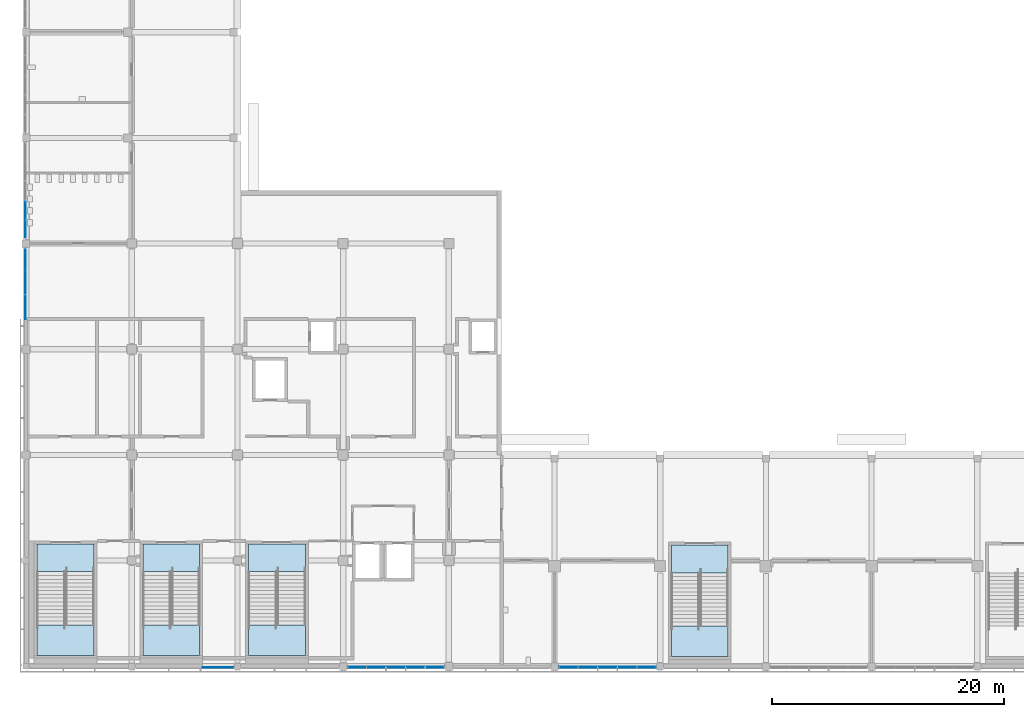
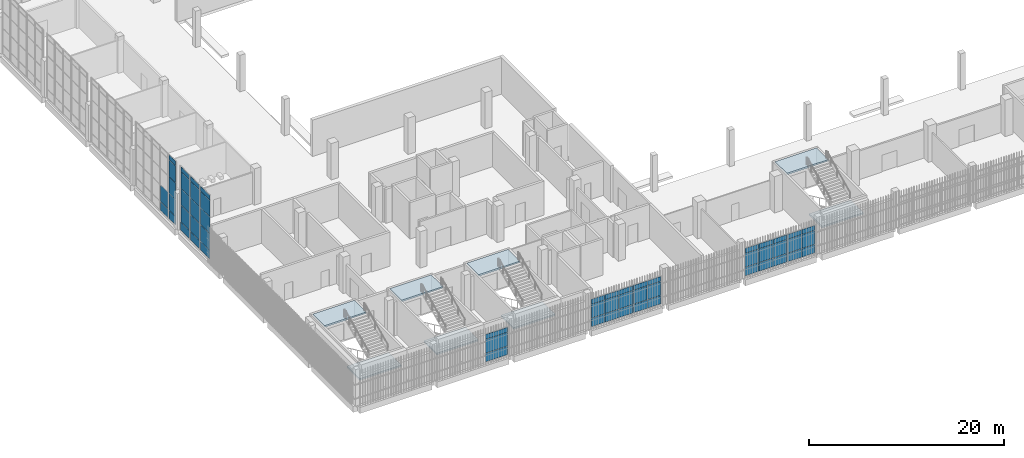
# One storey, part 63 of 126: 55 plates, 8 slabs, 9 elements without a shape of their own.
"""IFC4 building model written with IfcOpenShell, lengths in metres."""

from ifc_helpers import new_model, si_unit, direction, frame, origin, origin_2d, place, context, subcontext, project, spatial, polyline, rectangle, outline, extrude, material, layer, layer_set, type_object, element, aggregate, save


model = new_model("IFC4")

# Units and contexts
model_context = context("Model", 3, precision=1e-05, world=origin(), true_north=direction((0.0, 1.0)))
body_context = subcontext(model_context, "Body", "Model", "MODEL_VIEW")
ifc_project = project(units=[si_unit("LENGTHUNIT", "METRE"), si_unit("AREAUNIT", "SQUARE_METRE"), si_unit("VOLUMEUNIT", "CUBIC_METRE"), si_unit("PLANEANGLEUNIT", "RADIAN"), si_unit("MASSUNIT", "GRAM", prefix="KILO")], contexts=[model_context])

# Site, building, storey
site_placement = place(None, origin())
site = spatial("IfcSite", under=ifc_project, at=site_placement, CompositionType="ELEMENT")
building_placement = place(site_placement, origin())
building = spatial("IfcBuilding", under=site, at=building_placement, Name="Shirokan Park Arena", CompositionType="ELEMENT")
storey_placement = place(building_placement, frame((0.0, 0.0, 6.3701171875)))
storey = spatial("IfcBuildingStorey", under=building, at=storey_placement, Name="L01", CompositionType="ELEMENT", Elevation=6.3701171875)

# Curtain wall, plate
ifc_material_1 = material(Name="Steel and glass curtain wall", Category="steel")
ifc_layer_1 = layer(ifc_material_1, 0.1201171875)
ifc_layer_set_1 = layer_set([ifc_layer_1], Name="Steel and glass curtain wall 120 mm")
curtain_wall_type_1 = type_object("IfcCurtainWallType", Name="Curtain wall corner block side bay 120", PredefinedType="NOTDEFINED", material=ifc_layer_set_1)
curtain_wall_1_placement = place(storey_placement, origin())
curtain_wall_1 = element("IfcCurtainWall", 1, at=curtain_wall_1_placement, inside=storey, type_object=curtain_wall_type_1, Name="Curtain wall south bay 2 L01", PredefinedType="NOTDEFINED")
ifc_material_2 = material(Name="Aluminium sheet", Category="aluminium")
ifc_layer_2 = layer(ifc_material_2, 0.0029296875, Name="Aluminium sheet")
ifc_material_3 = material(Name="Mineral wool insulation")
ifc_layer_3 = layer(ifc_material_3, 0.053955078125, Name="Mineral wool insulation")
ifc_layer_4 = layer(ifc_material_2, 0.0029296875, Name="Aluminium sheet")
ifc_layer_set_2 = layer_set([ifc_layer_2, ifc_layer_3, ifc_layer_4], Name="Aluminium sheet + Mineral wool insulation")
plate_type_1 = type_object("IfcPlateType", Name="Insulated spandrel panel 60", PredefinedType="CURTAIN_PANEL", material=ifc_layer_set_2)
plate_1_placement = place(storey_placement, frame((16.512451171875, -0.090087890625, 2.86962890625), z_axis=(0.0, 0.0, 1.0), x_axis=(1.0, 0.0, 0.0)))
plate_1 = element("IfcPlate", 2, at=plate_1_placement, type_object=plate_type_1, Name="CW3 panel 1.3", PredefinedType="CURTAIN_PANEL", context=body_context, shape_type="SweptSolid", body=[
    extrude(rectangle(XDim=2.625, YDim=0.06005859375, at=origin_2d()), origin(), (0.0, 0.0, 1.0), 0.590087890625),
])

# Curtain wall, plates
ifc_layer_5 = layer(ifc_material_1, 0.14990234375)
ifc_layer_set_3 = layer_set([ifc_layer_5], Name="Steel and glass curtain wall 150 mm")
curtain_wall_type_2 = type_object("IfcCurtainWallType", Name="Curtain wall exposed bay 150", PredefinedType="NOTDEFINED", material=ifc_layer_set_3)
curtain_wall_2_placement = place(storey_placement, origin())
curtain_wall_2 = element("IfcCurtainWall", 3, at=curtain_wall_2_placement, inside=storey, type_object=curtain_wall_type_2, Name="Curtain wall south bay 4 L01", PredefinedType="NOTDEFINED")
plate_2_placement = place(storey_placement, frame((28.5048828125, -0.074951171875, 2.86962890625), z_axis=(0.0, 0.0, 1.0), x_axis=(1.0, 0.0, 0.0)))
plate_2 = element("IfcPlate", 4, at=plate_2_placement, type_object=plate_type_1, Name="CW1 panel 1.3", PredefinedType="CURTAIN_PANEL", context=body_context, shape_type="SweptSolid", body=[
    extrude(rectangle(XDim=1.56005859375, YDim=0.06005859375, at=origin_2d()), origin(), (0.0, 0.0, 1.0), 0.590087890625),
])
plate_3_placement = place(storey_placement, frame((30.152587890625, -0.074951171875, 2.86962890625), z_axis=(0.0, 0.0, 1.0), x_axis=(1.0, 0.0, 0.0)))
plate_3 = element("IfcPlate", 5, at=plate_3_placement, type_object=plate_type_1, Name="CW1 panel 2.3", PredefinedType="CURTAIN_PANEL", context=body_context, shape_type="SweptSolid", body=[
    extrude(rectangle(XDim=1.635009765625, YDim=0.06005859375, at=origin_2d()), origin(), (0.0, 0.0, 1.0), 0.590087890625),
])
plate_4_placement = place(storey_placement, frame((31.83740234375, -0.074951171875, 2.86962890625), z_axis=(0.0, 0.0, 1.0), x_axis=(1.0, 0.0, 0.0)))
plate_4 = element("IfcPlate", 6, at=plate_4_placement, type_object=plate_type_1, Name="CW1 panel 3.3", PredefinedType="CURTAIN_PANEL", context=body_context, shape_type="SweptSolid", body=[
    extrude(rectangle(XDim=1.635009765625, YDim=0.06005859375, at=origin_2d()), origin(), (0.0, 0.0, 1.0), 0.590087890625),
])
plate_5_placement = place(storey_placement, frame((33.5224609375, -0.074951171875, 2.86962890625), z_axis=(0.0, 0.0, 1.0), x_axis=(1.0, 0.0, 0.0)))
plate_5 = element("IfcPlate", 7, at=plate_5_placement, type_object=plate_type_1, Name="CW1 panel 4.3", PredefinedType="CURTAIN_PANEL", context=body_context, shape_type="SweptSolid", body=[
    extrude(rectangle(XDim=1.635009765625, YDim=0.06005859375, at=origin_2d()), origin(), (0.0, 0.0, 1.0), 0.590087890625),
])
plate_6_placement = place(storey_placement, frame((35.169921875, -0.074951171875, 2.86962890625), z_axis=(0.0, 0.0, 1.0), x_axis=(1.0, 0.0, 0.0)))
plate_6 = element("IfcPlate", 8, at=plate_6_placement, type_object=plate_type_1, Name="CW1 panel 5.3", PredefinedType="CURTAIN_PANEL", context=body_context, shape_type="SweptSolid", body=[
    extrude(rectangle(XDim=1.56005859375, YDim=0.06005859375, at=origin_2d()), origin(), (0.0, 0.0, 1.0), 0.590087890625),
])

curtain_wall_3_placement = place(storey_placement, origin())
curtain_wall_3 = element("IfcCurtainWall", 9, at=curtain_wall_3_placement, inside=storey, type_object=curtain_wall_type_2, Name="Curtain wall south bay 6 L01", PredefinedType="NOTDEFINED")
plate_7_placement = place(storey_placement, frame((46.7099609375, -0.074951171875, 2.86962890625), z_axis=(0.0, 0.0, 1.0), x_axis=(1.0, 0.0, 0.0)))
plate_7 = element("IfcPlate", 10, at=plate_7_placement, type_object=plate_type_1, Name="CW1 panel 1.3", PredefinedType="CURTAIN_PANEL", context=body_context, shape_type="SweptSolid", body=[
    extrude(rectangle(XDim=1.570068359375, YDim=0.06005859375, at=origin_2d()), origin(), (0.0, 0.0, 1.0), 0.590087890625),
])
plate_8_placement = place(storey_placement, frame((48.367431640625, -0.074951171875, 2.86962890625), z_axis=(0.0, 0.0, 1.0), x_axis=(1.0, 0.0, 0.0)))
plate_8 = element("IfcPlate", 11, at=plate_8_placement, type_object=plate_type_1, Name="CW1 panel 2.3", PredefinedType="CURTAIN_PANEL", context=body_context, shape_type="SweptSolid", body=[
    extrude(rectangle(XDim=1.64501953125, YDim=0.06005859375, at=origin_2d()), origin(), (0.0, 0.0, 1.0), 0.590087890625),
])
plate_9_placement = place(storey_placement, frame((50.0625, -0.074951171875, 2.86962890625), z_axis=(0.0, 0.0, 1.0), x_axis=(1.0, 0.0, 0.0)))
plate_9 = element("IfcPlate", 12, at=plate_9_placement, type_object=plate_type_1, Name="CW1 panel 3.3", PredefinedType="CURTAIN_PANEL", context=body_context, shape_type="SweptSolid", body=[
    extrude(rectangle(XDim=1.64501953125, YDim=0.06005859375, at=origin_2d()), origin(), (0.0, 0.0, 1.0), 0.590087890625),
])
plate_10_placement = place(storey_placement, frame((51.757568359375, -0.074951171875, 2.86962890625), z_axis=(0.0, 0.0, 1.0), x_axis=(1.0, 0.0, 0.0)))
plate_10 = element("IfcPlate", 13, at=plate_10_placement, type_object=plate_type_1, Name="CW1 panel 4.3", PredefinedType="CURTAIN_PANEL", context=body_context, shape_type="SweptSolid", body=[
    extrude(rectangle(XDim=1.64501953125, YDim=0.06005859375, at=origin_2d()), origin(), (0.0, 0.0, 1.0), 0.590087890625),
])
plate_11_placement = place(storey_placement, frame((53.4150390625, -0.074951171875, 2.86962890625), z_axis=(0.0, 0.0, 1.0), x_axis=(1.0, 0.0, 0.0)))
plate_11 = element("IfcPlate", 14, at=plate_11_placement, type_object=plate_type_1, Name="CW1 panel 5.3", PredefinedType="CURTAIN_PANEL", context=body_context, shape_type="SweptSolid", body=[
    extrude(rectangle(XDim=1.570068359375, YDim=0.06005859375, at=origin_2d()), origin(), (0.0, 0.0, 1.0), 0.590087890625),
])

# Plate
ifc_material_4 = material(Name="Toughened glass", Category="glass")
ifc_layer_6 = layer(ifc_material_4, 0.012939453125, Name="Toughened glass")
ifc_material_5 = material(Name="Interlayer film")
ifc_layer_7 = layer(ifc_material_5, 0.001953125, Name="Interlayer film")
ifc_layer_8 = layer(ifc_material_4, 0.012939453125, Name="Toughened glass")
ifc_layer_set_4 = layer_set([ifc_layer_6, ifc_layer_7, ifc_layer_8], Name="Toughened glass + Interlayer film")
plate_type_2 = type_object("IfcPlateType", Name="Laminated glass panel 28", PredefinedType="CURTAIN_PANEL", material=ifc_layer_set_4)
plate_12_placement = place(storey_placement, frame((16.512451171875, -0.090087890625, 1.119873046875), z_axis=(0.0, 0.0, 1.0), x_axis=(1.0, 0.0, 0.0)))
plate_12 = element("IfcPlate", 15, at=plate_12_placement, type_object=plate_type_2, Name="CW3 panel 1.2", PredefinedType="CURTAIN_PANEL", context=body_context, shape_type="SweptSolid", body=[
    extrude(rectangle(XDim=2.625, YDim=0.028076171875, at=origin_2d()), origin(), (0.0, 0.0, 1.0), 1.7099609375),
])

plate_13_placement = place(storey_placement, frame((28.5048828125, -0.074951171875, 1.119873046875), z_axis=(0.0, 0.0, 1.0), x_axis=(1.0, 0.0, 0.0)))
plate_13 = element("IfcPlate", 16, at=plate_13_placement, type_object=plate_type_2, Name="CW1 panel 1.2", PredefinedType="CURTAIN_PANEL", context=body_context, shape_type="SweptSolid", body=[
    extrude(rectangle(XDim=1.56005859375, YDim=0.028076171875, at=origin_2d()), origin(), (0.0, 0.0, 1.0), 1.7099609375),
])

plate_14_placement = place(storey_placement, frame((30.152587890625, -0.074951171875, 1.119873046875), z_axis=(0.0, 0.0, 1.0), x_axis=(1.0, 0.0, 0.0)))
plate_14 = element("IfcPlate", 17, at=plate_14_placement, type_object=plate_type_2, Name="CW1 panel 2.2", PredefinedType="CURTAIN_PANEL", context=body_context, shape_type="SweptSolid", body=[
    extrude(rectangle(XDim=1.635009765625, YDim=0.028076171875, at=origin_2d()), origin(), (0.0, 0.0, 1.0), 1.7099609375),
])

plate_15_placement = place(storey_placement, frame((31.83740234375, -0.074951171875, 1.119873046875), z_axis=(0.0, 0.0, 1.0), x_axis=(1.0, 0.0, 0.0)))
plate_15 = element("IfcPlate", 18, at=plate_15_placement, type_object=plate_type_2, Name="CW1 panel 3.2", PredefinedType="CURTAIN_PANEL", context=body_context, shape_type="SweptSolid", body=[
    extrude(rectangle(XDim=1.635009765625, YDim=0.028076171875, at=origin_2d()), origin(), (0.0, 0.0, 1.0), 1.7099609375),
])

plate_16_placement = place(storey_placement, frame((33.5224609375, -0.074951171875, 1.119873046875), z_axis=(0.0, 0.0, 1.0), x_axis=(1.0, 0.0, 0.0)))
plate_16 = element("IfcPlate", 19, at=plate_16_placement, type_object=plate_type_2, Name="CW1 panel 4.2", PredefinedType="CURTAIN_PANEL", context=body_context, shape_type="SweptSolid", body=[
    extrude(rectangle(XDim=1.635009765625, YDim=0.028076171875, at=origin_2d()), origin(), (0.0, 0.0, 1.0), 1.7099609375),
])

plate_17_placement = place(storey_placement, frame((35.169921875, -0.074951171875, 1.119873046875), z_axis=(0.0, 0.0, 1.0), x_axis=(1.0, 0.0, 0.0)))
plate_17 = element("IfcPlate", 20, at=plate_17_placement, type_object=plate_type_2, Name="CW1 panel 5.2", PredefinedType="CURTAIN_PANEL", context=body_context, shape_type="SweptSolid", body=[
    extrude(rectangle(XDim=1.56005859375, YDim=0.028076171875, at=origin_2d()), origin(), (0.0, 0.0, 1.0), 1.7099609375),
])

plate_18_placement = place(storey_placement, frame((46.7099609375, -0.074951171875, 1.119873046875), z_axis=(0.0, 0.0, 1.0), x_axis=(1.0, 0.0, 0.0)))
plate_18 = element("IfcPlate", 21, at=plate_18_placement, type_object=plate_type_2, Name="CW1 panel 1.2", PredefinedType="CURTAIN_PANEL", context=body_context, shape_type="SweptSolid", body=[
    extrude(rectangle(XDim=1.570068359375, YDim=0.028076171875, at=origin_2d()), origin(), (0.0, 0.0, 1.0), 1.7099609375),
])

plate_19_placement = place(storey_placement, frame((48.367431640625, -0.074951171875, 1.119873046875), z_axis=(0.0, 0.0, 1.0), x_axis=(1.0, 0.0, 0.0)))
plate_19 = element("IfcPlate", 22, at=plate_19_placement, type_object=plate_type_2, Name="CW1 panel 2.2", PredefinedType="CURTAIN_PANEL", context=body_context, shape_type="SweptSolid", body=[
    extrude(rectangle(XDim=1.64501953125, YDim=0.028076171875, at=origin_2d()), origin(), (0.0, 0.0, 1.0), 1.7099609375),
])

plate_20_placement = place(storey_placement, frame((50.0625, -0.074951171875, 1.119873046875), z_axis=(0.0, 0.0, 1.0), x_axis=(1.0, 0.0, 0.0)))
plate_20 = element("IfcPlate", 23, at=plate_20_placement, type_object=plate_type_2, Name="CW1 panel 3.2", PredefinedType="CURTAIN_PANEL", context=body_context, shape_type="SweptSolid", body=[
    extrude(rectangle(XDim=1.64501953125, YDim=0.028076171875, at=origin_2d()), origin(), (0.0, 0.0, 1.0), 1.7099609375),
])

plate_21_placement = place(storey_placement, frame((51.757568359375, -0.074951171875, 1.119873046875), z_axis=(0.0, 0.0, 1.0), x_axis=(1.0, 0.0, 0.0)))
plate_21 = element("IfcPlate", 24, at=plate_21_placement, type_object=plate_type_2, Name="CW1 panel 4.2", PredefinedType="CURTAIN_PANEL", context=body_context, shape_type="SweptSolid", body=[
    extrude(rectangle(XDim=1.64501953125, YDim=0.028076171875, at=origin_2d()), origin(), (0.0, 0.0, 1.0), 1.7099609375),
])

plate_22_placement = place(storey_placement, frame((53.4150390625, -0.074951171875, 1.119873046875), z_axis=(0.0, 0.0, 1.0), x_axis=(1.0, 0.0, 0.0)))
plate_22 = element("IfcPlate", 25, at=plate_22_placement, type_object=plate_type_2, Name="CW1 panel 5.2", PredefinedType="CURTAIN_PANEL", context=body_context, shape_type="SweptSolid", body=[
    extrude(rectangle(XDim=1.570068359375, YDim=0.028076171875, at=origin_2d()), origin(), (0.0, 0.0, 1.0), 1.7099609375),
])

# Curtain wall, plates
ifc_layer_9 = layer(ifc_material_1, 0.199951171875)
ifc_layer_set_5 = layer_set([ifc_layer_9], Name="Steel and glass curtain wall 200 mm")
curtain_wall_type_3 = type_object("IfcCurtainWallType", Name="Curtain wall hall bay 200", PredefinedType="NOTDEFINED", material=ifc_layer_set_5)
curtain_wall_4_placement = place(storey_placement, origin())
curtain_wall_4 = element("IfcCurtainWall", 26, at=curtain_wall_4_placement, inside=storey, type_object=curtain_wall_type_3, Name="Curtain wall west bay 8 L01", PredefinedType="NOTDEFINED")
plate_23_placement = place(storey_placement, frame((-0.050048828125, 39.260009765625, 1.119873046875), z_axis=(0.0, 0.0, 1.0), x_axis=(0.0, -1.0, 0.0)))
plate_23 = element("IfcPlate", 27, at=plate_23_placement, type_object=plate_type_2, Name="CW5 panel 4.2", PredefinedType="CURTAIN_PANEL", context=body_context, shape_type="SweptSolid", body=[
    extrude(rectangle(XDim=1.489990234375, YDim=0.028076171875, at=origin_2d()), origin(), (0.0, 0.0, 1.0), 2.06005859375),
])
plate_24_placement = place(storey_placement, frame((-0.050048828125, 37.6201171875, 1.119873046875), z_axis=(0.0, 0.0, 1.0), x_axis=(0.0, -1.0, 0.0)))
plate_24 = element("IfcPlate", 28, at=plate_24_placement, type_object=plate_type_2, Name="CW5 panel 5.2", PredefinedType="CURTAIN_PANEL", context=body_context, shape_type="SweptSolid", body=[
    extrude(rectangle(XDim=1.389892578125, YDim=0.028076171875, at=origin_2d()), origin(), (0.0, 0.0, 1.0), 2.06005859375),
])
plate_25_placement = place(storey_placement, frame((-0.050048828125, 37.6201171875, 3.219970703125), z_axis=(0.0, 0.0, 1.0), x_axis=(0.0, -1.0, 0.0)))
plate_25 = element("IfcPlate", 29, at=plate_25_placement, type_object=plate_type_2, Name="CW5 panel 5.3", PredefinedType="CURTAIN_PANEL", context=body_context, shape_type="SweptSolid", body=[
    extrude(rectangle(XDim=1.389892578125, YDim=0.028076171875, at=origin_2d()), origin(), (0.0, 0.0, 1.0), 2.06005859375),
])
plate_26_placement = place(storey_placement, frame((-0.050048828125, 37.6201171875, 5.31982421875), z_axis=(0.0, 0.0, 1.0), x_axis=(0.0, -1.0, 0.0)))
plate_26 = element("IfcPlate", 30, at=plate_26_placement, type_object=plate_type_2, Name="CW5 panel 5.4", PredefinedType="CURTAIN_PANEL", context=body_context, shape_type="SweptSolid", body=[
    extrude(rectangle(XDim=1.389892578125, YDim=0.028076171875, at=origin_2d()), origin(), (0.0, 0.0, 1.0), 2.06005859375),
])
plate_27_placement = place(storey_placement, frame((-0.050048828125, 37.6201171875, 7.419921875), z_axis=(0.0, 0.0, 1.0), x_axis=(0.0, -1.0, 0.0)))
plate_27 = element("IfcPlate", 31, at=plate_27_placement, type_object=plate_type_2, Name="CW5 panel 5.5", PredefinedType="CURTAIN_PANEL", context=body_context, shape_type="SweptSolid", body=[
    extrude(rectangle(XDim=1.389892578125, YDim=0.028076171875, at=origin_2d()), origin(), (0.0, 0.0, 1.0), 0.590087890625),
])

curtain_wall_5_placement = place(storey_placement, origin())
curtain_wall_5 = element("IfcCurtainWall", 32, at=curtain_wall_5_placement, inside=storey, type_object=curtain_wall_type_3, Name="Curtain wall west bay 9 L01", PredefinedType="NOTDEFINED")
plate_28_placement = place(storey_placement, frame((-0.050048828125, 34.995849609375, 1.119873046875), z_axis=(0.0, 0.0, 1.0), x_axis=(0.0, -1.0, 0.0)))
plate_28 = element("IfcPlate", 33, at=plate_28_placement, type_object=plate_type_2, Name="CW5 panel 1.2", PredefinedType="CURTAIN_PANEL", context=body_context, shape_type="SweptSolid", body=[
    extrude(rectangle(XDim=1.75830078125, YDim=0.028076171875, at=origin_2d()), origin(), (0.0, 0.0, 1.0), 2.06005859375),
])
plate_29_placement = place(storey_placement, frame((-0.050048828125, 34.995849609375, 3.219970703125), z_axis=(0.0, 0.0, 1.0), x_axis=(0.0, -1.0, 0.0)))
plate_29 = element("IfcPlate", 34, at=plate_29_placement, type_object=plate_type_2, Name="CW5 panel 1.3", PredefinedType="CURTAIN_PANEL", context=body_context, shape_type="SweptSolid", body=[
    extrude(rectangle(XDim=1.75830078125, YDim=0.028076171875, at=origin_2d()), origin(), (0.0, 0.0, 1.0), 2.06005859375),
])
plate_30_placement = place(storey_placement, frame((-0.050048828125, 34.995849609375, 5.31982421875), z_axis=(0.0, 0.0, 1.0), x_axis=(0.0, -1.0, 0.0)))
plate_30 = element("IfcPlate", 35, at=plate_30_placement, type_object=plate_type_2, Name="CW5 panel 1.4", PredefinedType="CURTAIN_PANEL", context=body_context, shape_type="SweptSolid", body=[
    extrude(rectangle(XDim=1.75830078125, YDim=0.028076171875, at=origin_2d()), origin(), (0.0, 0.0, 1.0), 2.06005859375),
])
plate_31_placement = place(storey_placement, frame((-0.050048828125, 34.995849609375, 7.419921875), z_axis=(0.0, 0.0, 1.0), x_axis=(0.0, -1.0, 0.0)))
plate_31 = element("IfcPlate", 36, at=plate_31_placement, type_object=plate_type_2, Name="CW5 panel 1.5", PredefinedType="CURTAIN_PANEL", context=body_context, shape_type="SweptSolid", body=[
    extrude(rectangle(XDim=1.75830078125, YDim=0.028076171875, at=origin_2d()), origin(), (0.0, 0.0, 1.0), 0.590087890625),
])
plate_32_placement = place(storey_placement, frame((-0.050048828125, 32.987548828125, 1.119873046875), z_axis=(0.0, 0.0, 1.0), x_axis=(0.0, -1.0, 0.0)))
plate_32 = element("IfcPlate", 37, at=plate_32_placement, type_object=plate_type_2, Name="CW5 panel 2.2", PredefinedType="CURTAIN_PANEL", context=body_context, shape_type="SweptSolid", body=[
    extrude(rectangle(XDim=1.8583984375, YDim=0.028076171875, at=origin_2d()), origin(), (0.0, 0.0, 1.0), 2.06005859375),
])
plate_33_placement = place(storey_placement, frame((-0.050048828125, 32.987548828125, 3.219970703125), z_axis=(0.0, 0.0, 1.0), x_axis=(0.0, -1.0, 0.0)))
plate_33 = element("IfcPlate", 38, at=plate_33_placement, type_object=plate_type_2, Name="CW5 panel 2.3", PredefinedType="CURTAIN_PANEL", context=body_context, shape_type="SweptSolid", body=[
    extrude(rectangle(XDim=1.8583984375, YDim=0.028076171875, at=origin_2d()), origin(), (0.0, 0.0, 1.0), 2.06005859375),
])
plate_34_placement = place(storey_placement, frame((-0.050048828125, 32.987548828125, 5.31982421875), z_axis=(0.0, 0.0, 1.0), x_axis=(0.0, -1.0, 0.0)))
plate_34 = element("IfcPlate", 39, at=plate_34_placement, type_object=plate_type_2, Name="CW5 panel 2.4", PredefinedType="CURTAIN_PANEL", context=body_context, shape_type="SweptSolid", body=[
    extrude(rectangle(XDim=1.8583984375, YDim=0.028076171875, at=origin_2d()), origin(), (0.0, 0.0, 1.0), 2.06005859375),
])
plate_35_placement = place(storey_placement, frame((-0.050048828125, 32.987548828125, 7.419921875), z_axis=(0.0, 0.0, 1.0), x_axis=(0.0, -1.0, 0.0)))
plate_35 = element("IfcPlate", 40, at=plate_35_placement, type_object=plate_type_2, Name="CW5 panel 2.5", PredefinedType="CURTAIN_PANEL", context=body_context, shape_type="SweptSolid", body=[
    extrude(rectangle(XDim=1.8583984375, YDim=0.028076171875, at=origin_2d()), origin(), (0.0, 0.0, 1.0), 0.590087890625),
])
plate_36_placement = place(storey_placement, frame((-0.050048828125, 30.879150390625, 1.119873046875), z_axis=(0.0, 0.0, 1.0), x_axis=(0.0, -1.0, 0.0)))
plate_36 = element("IfcPlate", 41, at=plate_36_placement, type_object=plate_type_2, Name="CW5 panel 3.2", PredefinedType="CURTAIN_PANEL", context=body_context, shape_type="SweptSolid", body=[
    extrude(rectangle(XDim=1.958251953125, YDim=0.028076171875, at=origin_2d()), origin(), (0.0, 0.0, 1.0), 2.06005859375),
])
plate_37_placement = place(storey_placement, frame((-0.050048828125, 30.879150390625, 3.219970703125), z_axis=(0.0, 0.0, 1.0), x_axis=(0.0, -1.0, 0.0)))
plate_37 = element("IfcPlate", 42, at=plate_37_placement, type_object=plate_type_2, Name="CW5 panel 3.3", PredefinedType="CURTAIN_PANEL", context=body_context, shape_type="SweptSolid", body=[
    extrude(rectangle(XDim=1.958251953125, YDim=0.028076171875, at=origin_2d()), origin(), (0.0, 0.0, 1.0), 2.06005859375),
])
plate_38_placement = place(storey_placement, frame((-0.050048828125, 30.879150390625, 5.31982421875), z_axis=(0.0, 0.0, 1.0), x_axis=(0.0, -1.0, 0.0)))
plate_38 = element("IfcPlate", 43, at=plate_38_placement, type_object=plate_type_2, Name="CW5 panel 3.4", PredefinedType="CURTAIN_PANEL", context=body_context, shape_type="SweptSolid", body=[
    extrude(rectangle(XDim=1.958251953125, YDim=0.028076171875, at=origin_2d()), origin(), (0.0, 0.0, 1.0), 2.06005859375),
])
plate_39_placement = place(storey_placement, frame((-0.050048828125, 30.879150390625, 7.419921875), z_axis=(0.0, 0.0, 1.0), x_axis=(0.0, -1.0, 0.0)))
plate_39 = element("IfcPlate", 44, at=plate_39_placement, type_object=plate_type_2, Name="CW5 panel 3.5", PredefinedType="CURTAIN_PANEL", context=body_context, shape_type="SweptSolid", body=[
    extrude(rectangle(XDim=1.958251953125, YDim=0.028076171875, at=origin_2d()), origin(), (0.0, 0.0, 1.0), 0.590087890625),
])

# Plate
ifc_layer_10 = layer(ifc_material_4, 0.01708984375, Name="Toughened glass")
ifc_layer_11 = layer(ifc_material_5, 0.001953125, Name="Interlayer film")
ifc_layer_12 = layer(ifc_material_4, 0.01708984375, Name="Toughened glass")
ifc_layer_set_6 = layer_set([ifc_layer_10, ifc_layer_11, ifc_layer_12], Name="Toughened glass + Interlayer film")
plate_type_3 = type_object("IfcPlateType", Name="Laminated safety glass panel 36", PredefinedType="CURTAIN_PANEL", material=ifc_layer_set_6)
plate_40_placement = place(storey_placement, frame((16.512451171875, -0.090087890625, 0.039794921875), z_axis=(0.0, 0.0, 1.0), x_axis=(1.0, 0.0, 0.0)))
plate_40 = element("IfcPlate", 45, at=plate_40_placement, type_object=plate_type_3, Name="CW3 panel 1.1", PredefinedType="CURTAIN_PANEL", context=body_context, shape_type="SweptSolid", body=[
    extrude(rectangle(XDim=2.625, YDim=0.035888671875, at=origin_2d()), origin(), (0.0, 0.0, 1.0), 1.0400390625),
])

aggregate(curtain_wall_1, [plate_40, plate_12, plate_1])

plate_41_placement = place(storey_placement, frame((28.5048828125, -0.074951171875, 0.039794921875), z_axis=(0.0, 0.0, 1.0), x_axis=(1.0, 0.0, 0.0)))
plate_41 = element("IfcPlate", 46, at=plate_41_placement, type_object=plate_type_3, Name="CW1 panel 1.1", PredefinedType="CURTAIN_PANEL", context=body_context, shape_type="SweptSolid", body=[
    extrude(rectangle(XDim=1.56005859375, YDim=0.035888671875, at=origin_2d()), origin(), (0.0, 0.0, 1.0), 1.0400390625),
])

plate_42_placement = place(storey_placement, frame((30.152587890625, -0.074951171875, 0.039794921875), z_axis=(0.0, 0.0, 1.0), x_axis=(1.0, 0.0, 0.0)))
plate_42 = element("IfcPlate", 47, at=plate_42_placement, type_object=plate_type_3, Name="CW1 panel 2.1", PredefinedType="CURTAIN_PANEL", context=body_context, shape_type="SweptSolid", body=[
    extrude(rectangle(XDim=1.635009765625, YDim=0.035888671875, at=origin_2d()), origin(), (0.0, 0.0, 1.0), 1.0400390625),
])

plate_43_placement = place(storey_placement, frame((31.83740234375, -0.074951171875, 0.039794921875), z_axis=(0.0, 0.0, 1.0), x_axis=(1.0, 0.0, 0.0)))
plate_43 = element("IfcPlate", 48, at=plate_43_placement, type_object=plate_type_3, Name="CW1 panel 3.1", PredefinedType="CURTAIN_PANEL", context=body_context, shape_type="SweptSolid", body=[
    extrude(rectangle(XDim=1.635009765625, YDim=0.035888671875, at=origin_2d()), origin(), (0.0, 0.0, 1.0), 1.0400390625),
])

plate_44_placement = place(storey_placement, frame((33.5224609375, -0.074951171875, 0.039794921875), z_axis=(0.0, 0.0, 1.0), x_axis=(1.0, 0.0, 0.0)))
plate_44 = element("IfcPlate", 49, at=plate_44_placement, type_object=plate_type_3, Name="CW1 panel 4.1", PredefinedType="CURTAIN_PANEL", context=body_context, shape_type="SweptSolid", body=[
    extrude(rectangle(XDim=1.635009765625, YDim=0.035888671875, at=origin_2d()), origin(), (0.0, 0.0, 1.0), 1.0400390625),
])

plate_45_placement = place(storey_placement, frame((35.169921875, -0.074951171875, 0.039794921875), z_axis=(0.0, 0.0, 1.0), x_axis=(1.0, 0.0, 0.0)))
plate_45 = element("IfcPlate", 50, at=plate_45_placement, type_object=plate_type_3, Name="CW1 panel 5.1", PredefinedType="CURTAIN_PANEL", context=body_context, shape_type="SweptSolid", body=[
    extrude(rectangle(XDim=1.56005859375, YDim=0.035888671875, at=origin_2d()), origin(), (0.0, 0.0, 1.0), 1.0400390625),
])

aggregate(curtain_wall_2, [plate_41, plate_13, plate_2, plate_42, plate_14, plate_3, plate_43, plate_15, plate_4, plate_44, plate_16, plate_5, plate_45, plate_17, plate_6])

plate_46_placement = place(storey_placement, frame((46.7099609375, -0.074951171875, 0.039794921875), z_axis=(0.0, 0.0, 1.0), x_axis=(1.0, 0.0, 0.0)))
plate_46 = element("IfcPlate", 51, at=plate_46_placement, type_object=plate_type_3, Name="CW1 panel 1.1", PredefinedType="CURTAIN_PANEL", context=body_context, shape_type="SweptSolid", body=[
    extrude(rectangle(XDim=1.570068359375, YDim=0.035888671875, at=origin_2d()), origin(), (0.0, 0.0, 1.0), 1.0400390625),
])

plate_47_placement = place(storey_placement, frame((48.367431640625, -0.074951171875, 0.039794921875), z_axis=(0.0, 0.0, 1.0), x_axis=(1.0, 0.0, 0.0)))
plate_47 = element("IfcPlate", 52, at=plate_47_placement, type_object=plate_type_3, Name="CW1 panel 2.1", PredefinedType="CURTAIN_PANEL", context=body_context, shape_type="SweptSolid", body=[
    extrude(rectangle(XDim=1.64501953125, YDim=0.035888671875, at=origin_2d()), origin(), (0.0, 0.0, 1.0), 1.0400390625),
])

plate_48_placement = place(storey_placement, frame((50.0625, -0.074951171875, 0.039794921875), z_axis=(0.0, 0.0, 1.0), x_axis=(1.0, 0.0, 0.0)))
plate_48 = element("IfcPlate", 53, at=plate_48_placement, type_object=plate_type_3, Name="CW1 panel 3.1", PredefinedType="CURTAIN_PANEL", context=body_context, shape_type="SweptSolid", body=[
    extrude(rectangle(XDim=1.64501953125, YDim=0.035888671875, at=origin_2d()), origin(), (0.0, 0.0, 1.0), 1.0400390625),
])

plate_49_placement = place(storey_placement, frame((51.757568359375, -0.074951171875, 0.039794921875), z_axis=(0.0, 0.0, 1.0), x_axis=(1.0, 0.0, 0.0)))
plate_49 = element("IfcPlate", 54, at=plate_49_placement, type_object=plate_type_3, Name="CW1 panel 4.1", PredefinedType="CURTAIN_PANEL", context=body_context, shape_type="SweptSolid", body=[
    extrude(rectangle(XDim=1.64501953125, YDim=0.035888671875, at=origin_2d()), origin(), (0.0, 0.0, 1.0), 1.0400390625),
])

plate_50_placement = place(storey_placement, frame((53.4150390625, -0.074951171875, 0.039794921875), z_axis=(0.0, 0.0, 1.0), x_axis=(1.0, 0.0, 0.0)))
plate_50 = element("IfcPlate", 55, at=plate_50_placement, type_object=plate_type_3, Name="CW1 panel 5.1", PredefinedType="CURTAIN_PANEL", context=body_context, shape_type="SweptSolid", body=[
    extrude(rectangle(XDim=1.570068359375, YDim=0.035888671875, at=origin_2d()), origin(), (0.0, 0.0, 1.0), 1.0400390625),
])

aggregate(curtain_wall_3, [plate_46, plate_18, plate_7, plate_47, plate_19, plate_8, plate_48, plate_20, plate_9, plate_49, plate_21, plate_10, plate_50, plate_22, plate_11])

plate_51_placement = place(storey_placement, frame((-0.050048828125, 39.260009765625, 0.039794921875), z_axis=(0.0, 0.0, 1.0), x_axis=(0.0, -1.0, 0.0)))
plate_51 = element("IfcPlate", 56, at=plate_51_placement, type_object=plate_type_3, Name="CW5 panel 4.1", PredefinedType="CURTAIN_PANEL", context=body_context, shape_type="SweptSolid", body=[
    extrude(rectangle(XDim=1.489990234375, YDim=0.035888671875, at=origin_2d()), origin(), (0.0, 0.0, 1.0), 1.0400390625),
])

plate_52_placement = place(storey_placement, frame((-0.050048828125, 37.6201171875, 0.039794921875), z_axis=(0.0, 0.0, 1.0), x_axis=(0.0, -1.0, 0.0)))
plate_52 = element("IfcPlate", 57, at=plate_52_placement, type_object=plate_type_3, Name="CW5 panel 5.1", PredefinedType="CURTAIN_PANEL", context=body_context, shape_type="SweptSolid", body=[
    extrude(rectangle(XDim=1.389892578125, YDim=0.035888671875, at=origin_2d()), origin(), (0.0, 0.0, 1.0), 1.0400390625),
])

aggregate(curtain_wall_4, [plate_51, plate_23, plate_52, plate_24, plate_25, plate_26, plate_27])

plate_53_placement = place(storey_placement, frame((-0.050048828125, 34.995849609375, 0.039794921875), z_axis=(0.0, 0.0, 1.0), x_axis=(0.0, -1.0, 0.0)))
plate_53 = element("IfcPlate", 58, at=plate_53_placement, type_object=plate_type_3, Name="CW5 panel 1.1", PredefinedType="CURTAIN_PANEL", context=body_context, shape_type="SweptSolid", body=[
    extrude(rectangle(XDim=1.75830078125, YDim=0.035888671875, at=origin_2d()), origin(), (0.0, 0.0, 1.0), 1.0400390625),
])

plate_54_placement = place(storey_placement, frame((-0.050048828125, 32.987548828125, 0.039794921875), z_axis=(0.0, 0.0, 1.0), x_axis=(0.0, -1.0, 0.0)))
plate_54 = element("IfcPlate", 59, at=plate_54_placement, type_object=plate_type_3, Name="CW5 panel 2.1", PredefinedType="CURTAIN_PANEL", context=body_context, shape_type="SweptSolid", body=[
    extrude(rectangle(XDim=1.8583984375, YDim=0.035888671875, at=origin_2d()), origin(), (0.0, 0.0, 1.0), 1.0400390625),
])

plate_55_placement = place(storey_placement, frame((-0.050048828125, 30.879150390625, 0.039794921875), z_axis=(0.0, 0.0, 1.0), x_axis=(0.0, -1.0, 0.0)))
plate_55 = element("IfcPlate", 60, at=plate_55_placement, type_object=plate_type_3, Name="CW5 panel 3.1", PredefinedType="CURTAIN_PANEL", context=body_context, shape_type="SweptSolid", body=[
    extrude(rectangle(XDim=1.958251953125, YDim=0.035888671875, at=origin_2d()), origin(), (0.0, 0.0, 1.0), 1.0400390625),
])

aggregate(curtain_wall_5, [plate_53, plate_28, plate_29, plate_30, plate_31, plate_54, plate_32, plate_33, plate_34, plate_35, plate_55, plate_36, plate_37, plate_38, plate_39])

# Stair, slabs
ifc_material_6 = material(Name="Concrete C30 precast", Category="concrete")
stair_type = type_object("IfcStairType", Name="Stair 30 risers 152 x 327 2400 wide", PredefinedType="TWO_STRAIGHT_RUN_STAIR", material=ifc_material_6)
stair_1_placement = place(storey_placement, origin())
stair_1 = element("IfcStair", 61, at=stair_1_placement, inside=storey, type_object=stair_type, Name="Exit Stair 1.A L01 to L02", PredefinedType="TWO_STRAIGHT_RUN_STAIR")
ifc_layer_13 = layer(ifc_material_6, 0.199951171875)
ifc_layer_set_7 = layer_set([ifc_layer_13], Name="Concrete C30 precast 200 mm")
slab_type = type_object("IfcSlabType", Name="Stair landing 200", PredefinedType="LANDING", material=ifc_layer_set_7)
slab_1_placement = place(storey_placement, frame((0.0, 0.0, 2.074951171875)))
slab_1 = element("IfcSlab", 62, at=slab_1_placement, type_object=slab_type, Name="ST01.2 landing 1", PredefinedType="LANDING", context=body_context, shape_type="SweptSolid", body=[
    extrude(outline(polyline([(0.949951171875, 0.949951171875), (5.85009765625, 0.949951171875), (5.85009765625, 3.576171875), (0.949951171875, 3.576171875), (0.949951171875, 0.949951171875)])), origin(), (0.0, 0.0, 1.0), 0.199951171875),
])
slab_2_placement = place(storey_placement, frame((0.0, 0.0, 4.349853515625)))
slab_2 = element("IfcSlab", 63, at=slab_2_placement, type_object=slab_type, Name="ST01.2 landing 2", PredefinedType="LANDING", context=body_context, shape_type="SweptSolid", body=[
    extrude(outline(polyline([(0.949951171875, 8.14990234375), (5.85009765625, 8.14990234375), (5.85009765625, 10.550048828125), (0.949951171875, 10.550048828125), (0.949951171875, 8.14990234375)])), origin(), (0.0, 0.0, 1.0), 0.199951171875),
])
aggregate(stair_1, [slab_1, slab_2])

stair_2_placement = place(storey_placement, origin())
stair_2 = element("IfcStair", 64, at=stair_2_placement, inside=storey, type_object=stair_type, Name="Exit Stair 1.B L01 to L02", PredefinedType="TWO_STRAIGHT_RUN_STAIR")
slab_3_placement = place(storey_placement, frame((0.0, 0.0, 2.074951171875)))
slab_3 = element("IfcSlab", 65, at=slab_3_placement, type_object=slab_type, Name="ST02.2 landing 1", PredefinedType="LANDING", context=body_context, shape_type="SweptSolid", body=[
    extrude(outline(polyline([(10.050048828125, 0.949951171875), (14.949951171875, 0.949951171875), (14.949951171875, 3.576171875), (10.050048828125, 3.576171875), (10.050048828125, 0.949951171875)])), origin(), (0.0, 0.0, 1.0), 0.199951171875),
])
slab_4_placement = place(storey_placement, frame((0.0, 0.0, 4.349853515625)))
slab_4 = element("IfcSlab", 66, at=slab_4_placement, type_object=slab_type, Name="ST02.2 landing 2", PredefinedType="LANDING", context=body_context, shape_type="SweptSolid", body=[
    extrude(outline(polyline([(10.050048828125, 8.14990234375), (14.949951171875, 8.14990234375), (14.949951171875, 10.550048828125), (10.050048828125, 10.550048828125), (10.050048828125, 8.14990234375)])), origin(), (0.0, 0.0, 1.0), 0.199951171875),
])
aggregate(stair_2, [slab_3, slab_4])

stair_3_placement = place(storey_placement, origin())
stair_3 = element("IfcStair", 67, at=stair_3_placement, inside=storey, type_object=stair_type, Name="Exit Stair 1.C L01 to L02", PredefinedType="TWO_STRAIGHT_RUN_STAIR")
slab_5_placement = place(storey_placement, frame((0.0, 0.0, 2.074951171875)))
slab_5 = element("IfcSlab", 68, at=slab_5_placement, type_object=slab_type, Name="ST03.2 landing 1", PredefinedType="LANDING", context=body_context, shape_type="SweptSolid", body=[
    extrude(outline(polyline([(19.14990234375, 0.949951171875), (24.050048828125, 0.949951171875), (24.050048828125, 3.576171875), (19.14990234375, 3.576171875), (19.14990234375, 0.949951171875)])), origin(), (0.0, 0.0, 1.0), 0.199951171875),
])
slab_6_placement = place(storey_placement, frame((0.0, 0.0, 4.349853515625)))
slab_6 = element("IfcSlab", 69, at=slab_6_placement, type_object=slab_type, Name="ST03.2 landing 2", PredefinedType="LANDING", context=body_context, shape_type="SweptSolid", body=[
    extrude(outline(polyline([(19.14990234375, 8.14990234375), (24.050048828125, 8.14990234375), (24.050048828125, 10.550048828125), (19.14990234375, 10.550048828125), (19.14990234375, 8.14990234375)])), origin(), (0.0, 0.0, 1.0), 0.199951171875),
])
aggregate(stair_3, [slab_5, slab_6])

stair_4_placement = place(storey_placement, origin())
stair_4 = element("IfcStair", 70, at=stair_4_placement, inside=storey, type_object=stair_type, Name="Entrance Stair E1.1 L01 to L02", PredefinedType="TWO_STRAIGHT_RUN_STAIR")
slab_7_placement = place(storey_placement, frame((0.0, 0.0, 2.074951171875)))
slab_7 = element("IfcSlab", 71, at=slab_7_placement, type_object=slab_type, Name="ST24.2 landing 1", PredefinedType="LANDING", context=body_context, shape_type="SweptSolid", body=[
    extrude(outline(polyline([(55.550048828125, 0.85009765625), (60.449951171875, 0.85009765625), (60.449951171875, 3.476318359375), (55.550048828125, 3.476318359375), (55.550048828125, 0.85009765625)])), origin(), (0.0, 0.0, 1.0), 0.199951171875),
])
slab_8_placement = place(storey_placement, frame((0.0, 0.0, 4.349853515625)))
slab_8 = element("IfcSlab", 72, at=slab_8_placement, type_object=slab_type, Name="ST24.2 landing 2", PredefinedType="LANDING", context=body_context, shape_type="SweptSolid", body=[
    extrude(outline(polyline([(55.550048828125, 8.050048828125), (60.449951171875, 8.050048828125), (60.449951171875, 10.449951171875), (55.550048828125, 10.449951171875), (55.550048828125, 8.050048828125)])), origin(), (0.0, 0.0, 1.0), 0.199951171875),
])
aggregate(stair_4, [slab_7, slab_8])

save(model, "model.ifc")
